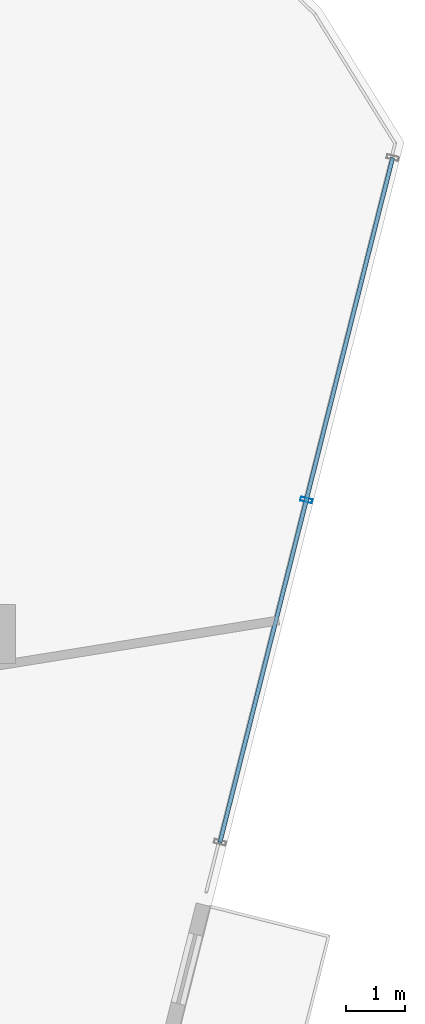
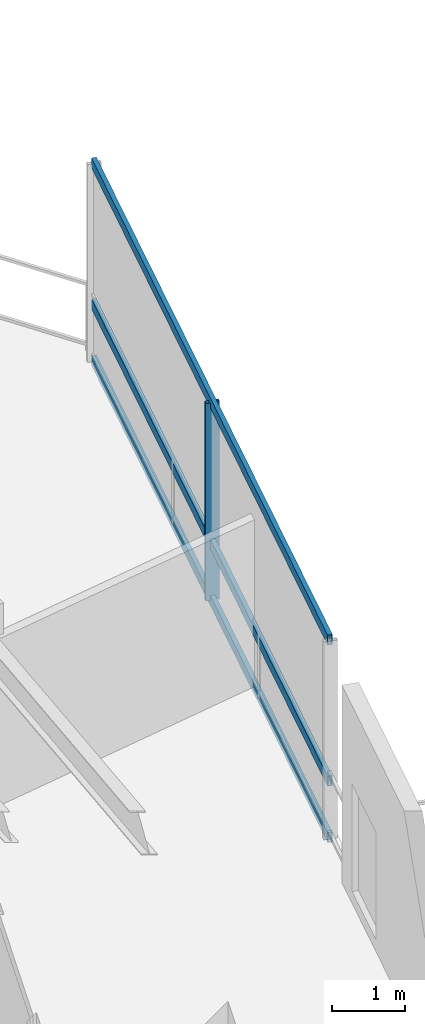
# One storey, part 8 of 19: 4 members, 1 element without a shape of its own.
"""IFC4 building model written with IfcOpenShell, lengths in metres."""

from ifc_helpers import new_model, si_unit, direction, frame, origin, origin_2d, place, context, subcontext, project, spatial, hollow_rectangle, extrude, material, layer, layer_set, material_profile, profile_set, type_object, element, aggregate, save


model = new_model("IFC4")

# Units and contexts
model_context = context("Model", 3, precision=1e-05, world=origin(), true_north=direction((0.0, 1.0)))
body_context = subcontext(model_context, "Body", "Model", "MODEL_VIEW")
ifc_project = project(units=[si_unit("LENGTHUNIT", "METRE"), si_unit("AREAUNIT", "SQUARE_METRE"), si_unit("VOLUMEUNIT", "CUBIC_METRE"), si_unit("PLANEANGLEUNIT", "RADIAN"), si_unit("MASSUNIT", "GRAM", prefix="KILO")], contexts=[model_context])

# Site, building, storey
site_placement = place(None, origin())
site = spatial("IfcSite", under=ifc_project, at=site_placement, CompositionType="ELEMENT")
building_placement = place(site_placement, origin())
building = spatial("IfcBuilding", under=site, at=building_placement, Name="Qarnah Convention Tower", CompositionType="ELEMENT")
storey_placement = place(building_placement, frame((0.0, 0.0, 125.699951171875)))
storey = spatial("IfcBuildingStorey", under=building, at=storey_placement, Name="L33", CompositionType="ELEMENT", Elevation=125.699951171875)

# Curtain wall, members
ifc_material_1 = material(Name="Tempered Low-E dark glass", Category="glass")
ifc_layer = layer(ifc_material_1, 0.172119140625)
ifc_layer_set = layer_set([ifc_layer], Name="Tempered Low-E dark glass")
curtain_wall_type = type_object("IfcCurtainWallType", Name="CWS-03", PredefinedType="NOTDEFINED", material=ifc_layer_set)
curtain_wall_placement = place(storey_placement, origin())
curtain_wall = element("IfcCurtainWall", 1, at=curtain_wall_placement, inside=storey, type_object=curtain_wall_type, Name="L33 unitised curtain wall CW-L33-F2", PredefinedType="NOTDEFINED")
ifc_material_2 = material(Name="Black anodised aluminium", Category="aluminium")
ifc_material_profile_1 = material_profile(ifc_material_2, hollow_rectangle(XDim=0.070068359375, YDim=0.199951171875, WallThickness=0.0048828125, at=origin_2d()), Name="MUL-70X200")
ifc_profile_set_1 = profile_set([ifc_material_profile_1], Name="Black anodised aluminium")
member_type_1 = type_object("IfcMemberType", Name="MUL-T3", PredefinedType="MULLION", material=ifc_profile_set_1)
member_1_placement = place(storey_placement, frame((57.131591796875, 31.74755859375, 0.0), z_axis=(0.0, 0.0, 1.0), x_axis=(-0.24460965951, -0.969621634698, 0.0)))
member_1 = element("IfcMember", 2, at=member_1_placement, type_object=member_type_1, Name="CW-L33-F2 mullion 2", PredefinedType="MULLION", context=body_context, shape_type="SweptSolid", body=[
    extrude(hollow_rectangle(XDim=0.070068359375, YDim=0.199951171875, WallThickness=0.0048828125, at=origin_2d()), origin(), (0.0, 0.0, 1.0), 3.320068359375),
])
ifc_material_profile_2 = material_profile(ifc_material_2, hollow_rectangle(XDim=0.070068359375, YDim=0.169921875, WallThickness=0.0048828125, at=origin_2d()), Name="TRN-70X170")
ifc_profile_set_2 = profile_set([ifc_material_profile_2], Name="Black anodised aluminium")
member_type_2 = type_object("IfcMemberType", Name="TRN-T3", PredefinedType="USERDEFINED", material=ifc_profile_set_2)
member_2_placement = place(storey_placement, frame((58.587890625, 37.52099609375, 0.0), z_axis=(-0.24459966598, -0.969624155744, 0.0), x_axis=(0.969624155744, -0.24459966598, 0.0)))
member_2 = element("IfcMember", 3, at=member_2_placement, type_object=member_type_2, Name="CW-L33-F2 transom 1", ObjectType="TRANSOM", PredefinedType="USERDEFINED", context=body_context, shape_type="SweptSolid", body=[
    extrude(hollow_rectangle(XDim=0.070068359375, YDim=0.169921875, WallThickness=0.0048828125, at=origin_2d()), origin(), (0.0, 0.0, 1.0), 11.90869140625),
])
member_3_placement = place(storey_placement, frame((58.587890625, 37.52099609375, 0.949951171875), z_axis=(-0.24459966598, -0.969624155744, 0.0), x_axis=(0.969624155744, -0.24459966598, 0.0)))
member_3 = element("IfcMember", 4, at=member_3_placement, type_object=member_type_2, Name="CW-L33-F2 transom 2", ObjectType="TRANSOM", PredefinedType="USERDEFINED", context=body_context, shape_type="SweptSolid", body=[
    extrude(hollow_rectangle(XDim=0.070068359375, YDim=0.169921875, WallThickness=0.0048828125, at=origin_2d()), origin(), (0.0, 0.0, 1.0), 11.90869140625),
])
member_4_placement = place(storey_placement, frame((58.587890625, 37.52099609375, 3.320068359375), z_axis=(-0.24459966598, -0.969624155744, 0.0), x_axis=(0.969624155744, -0.24459966598, 0.0)))
member_4 = element("IfcMember", 5, at=member_4_placement, type_object=member_type_2, Name="CW-L33-F2 transom 3", ObjectType="TRANSOM", PredefinedType="USERDEFINED", context=body_context, shape_type="SweptSolid", body=[
    extrude(hollow_rectangle(XDim=0.070068359375, YDim=0.169921875, WallThickness=0.0048828125, at=origin_2d()), origin(), (0.0, 0.0, 1.0), 11.90869140625),
])
aggregate(curtain_wall, [member_1, member_2, member_3, member_4])

save(model, "model.ifc")
